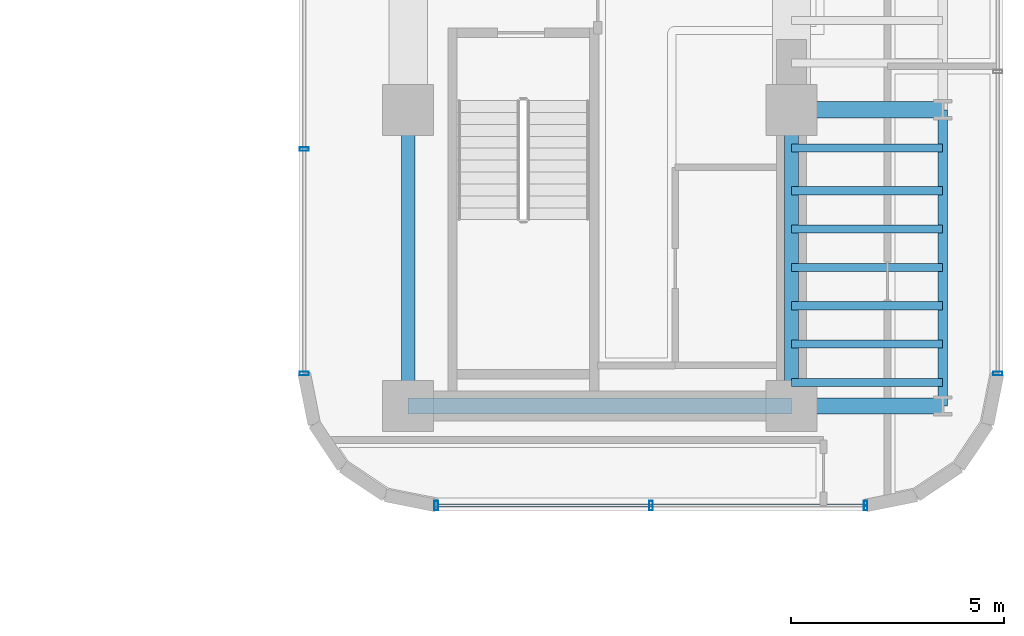
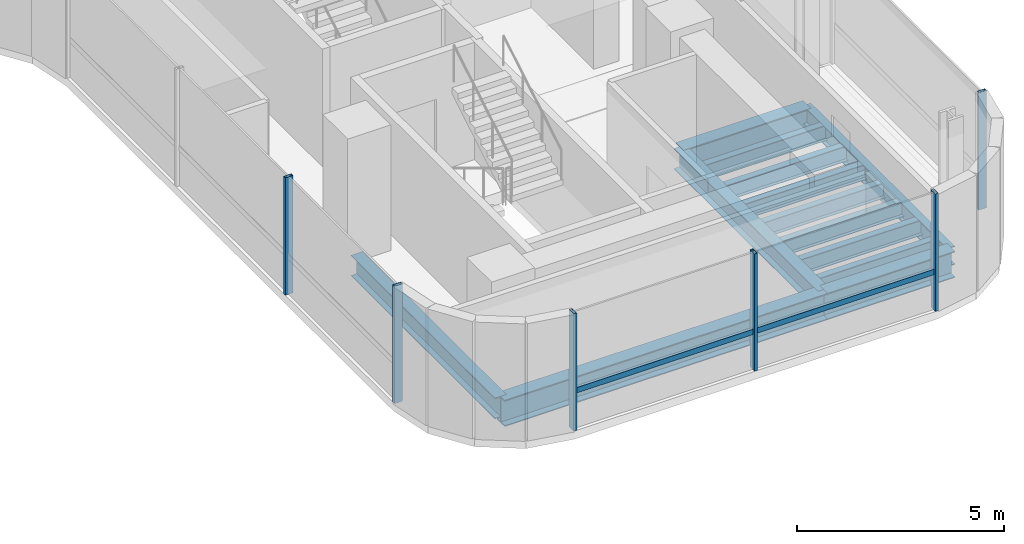
# One storey, part 11 of 34: 13 beams, 7 members, 3 elements without a shape of their own.
"""IFC4 building model written with IfcOpenShell, lengths in metres."""

from ifc_helpers import new_model, si_unit, direction, frame, origin, origin_2d, place, context, subcontext, project, spatial, hollow_rectangle, i_section, extrude, source, transform, mapped, material, material_profile, profile_set, type_object, element, aggregate, save


model = new_model("IFC4")

# Units and contexts
model_context = context("Model", 3, precision=1e-05, world=origin(), true_north=direction((0.0, 1.0)))
body_context = subcontext(model_context, "Body", "Model", "MODEL_VIEW")
ifc_project = project(units=[si_unit("LENGTHUNIT", "METRE"), si_unit("AREAUNIT", "SQUARE_METRE"), si_unit("VOLUMEUNIT", "CUBIC_METRE"), si_unit("PLANEANGLEUNIT", "RADIAN"), si_unit("MASSUNIT", "GRAM", prefix="KILO")], contexts=[model_context])

# Site, building, storey
site_placement = place(None, origin())
site = spatial("IfcSite", under=ifc_project, at=site_placement, CompositionType="ELEMENT")
building_placement = place(site_placement, origin())
building = spatial("IfcBuilding", under=site, at=building_placement, Name="Valdorenza Pilgrim Sanctuary Tower", CompositionType="ELEMENT")
storey_placement = place(building_placement, frame((0.0, 0.0, 142.699951171875)))
storey = spatial("IfcBuildingStorey", under=building, at=storey_placement, Name="L36", CompositionType="ELEMENT", Elevation=142.699951171875)

# Beams
ifc_material_1 = material(Name="Steel ASTM A992 Grade 50", Category="steel")
ifc_material_profile_1 = material_profile(ifc_material_1, i_section(OverallWidth=0.323974609375, OverallDepth=0.611083984375, WebThickness=0.0126953125, FlangeThickness=0.01904296875, at=origin_2d()), Name="W24X104")
ifc_profile_set_1 = profile_set([ifc_material_profile_1], Name="Steel ASTM A992 Grade 50")
beam_type_1 = type_object("IfcBeamType", Name="STR-BM-GRD-W24B", PredefinedType="BEAM", material=ifc_profile_set_1)
shared_shape_1 = source(origin(), body_context, "Body", "SweptSolid", [
    extrude(i_section(OverallWidth=0.323974609375, OverallDepth=0.611083984375, WebThickness=0.0126953125, FlangeThickness=0.01904296875, at=origin_2d()), origin(), (0.0, 0.0, 1.0), 6.949951171875),
])
for number, where, z_axis, x_axis, name in (
    (1, (15.85009765625, -9.550048828125, -0.54541015625), (0.0, 1.0, 0.0), (-1.0, 0.0, 0.0), "L36 Core Tie Girder CB-W-S1M0"),
    (2, (24.85009765625, -9.550048828125, -0.54541015625), (0.0, 1.0, 0.0), (-1.0, 0.0, 0.0), "L36 Core Tie Girder CB-E-S1M0"),
):
    element("IfcBeam", number, at=place(storey_placement, frame(where, z_axis=z_axis, x_axis=x_axis)), inside=storey, type_object=beam_type_1, Name=name, PredefinedType="BEAM", context=body_context, shape_type="MappedRepresentation", body=[
        mapped(shared_shape_1, transform((0.0, 0.0, 0.0), x_axis=(1.0, 0.0, 0.0), y_axis=(0.0, 1.0, 0.0), z_axis=(0.0, 0.0, 1.0), scale=1.0)),
    ])
ifc_material_profile_2 = material_profile(ifc_material_1, i_section(OverallWidth=0.214111328125, OverallDepth=0.549072265625, WebThickness=0.0146484375, FlangeThickness=0.023681640625, at=origin_2d()), Name="W21X93")
ifc_profile_set_2 = profile_set([ifc_material_profile_2], Name="Steel ASTM A992 Grade 50")
beam_type_2 = type_object("IfcBeamType", Name="STR-BM-SPN-W21A", PredefinedType="SPANDREL", material=ifc_profile_set_2)
shared_shape_2 = source(origin(), body_context, "Body", "SweptSolid", [
    extrude(i_section(OverallWidth=0.214111328125, OverallDepth=0.549072265625, WebThickness=0.0146484375, FlangeThickness=0.023681640625, at=origin_2d()), origin(), (0.0, 0.0, 1.0), 6.949951171875),
])
beam_1_placement = place(storey_placement, frame((28.39990234375, -9.550048828125, -0.514404296875), z_axis=(0.0, 1.0, 0.0), x_axis=(-1.0, 0.0, 0.0)))
element("IfcBeam", 3, at=beam_1_placement, inside=storey, type_object=beam_type_2, Name="L36 Spandrel Beam WB-E-S1M0", PredefinedType="SPANDREL", context=body_context, shape_type="MappedRepresentation", body=[
    mapped(shared_shape_2, transform((0.0, 0.0, 0.0), x_axis=(1.0, 0.0, 0.0), y_axis=(0.0, 1.0, 0.0), z_axis=(0.0, 0.0, 1.0), scale=1.0)),
])
ifc_material_profile_3 = material_profile(ifc_material_1, i_section(OverallWidth=0.382080078125, OverallDepth=0.779052734375, WebThickness=0.01806640625, FlangeThickness=0.030029296875, at=origin_2d()), Name="W30X191")
ifc_profile_set_3 = profile_set([ifc_material_profile_3], Name="Steel ASTM A992 Grade 50")
beam_type_3 = type_object("IfcBeamType", Name="STR-BM-GRD-W30", PredefinedType="BEAM", material=ifc_profile_set_3)
shared_shape_3 = source(origin(), body_context, "Body", "SweptSolid", [
    extrude(i_section(OverallWidth=0.382080078125, OverallDepth=0.779052734375, WebThickness=0.01806640625, FlangeThickness=0.030029296875, at=origin_2d()), origin(), (0.0, 0.0, 1.0), 9.0),
])
beam_2_placement = place(storey_placement, frame((15.85009765625, -9.550048828125, -0.62939453125), z_axis=(1.0, 0.0, 0.0), x_axis=(0.0, 1.0, 0.0)))
element("IfcBeam", 4, at=beam_2_placement, inside=storey, type_object=beam_type_3, Name="L36 Floor Girder CB-XC-S1", PredefinedType="BEAM", context=body_context, shape_type="MappedRepresentation", body=[
    mapped(shared_shape_3, transform((0.0, 0.0, 0.0), x_axis=(1.0, 0.0, 0.0), y_axis=(0.0, 1.0, 0.0), z_axis=(0.0, 0.0, 1.0), scale=1.0)),
])
shared_shape_4 = source(origin(), body_context, "Body", "SweptSolid", [
    extrude(i_section(OverallWidth=0.382080078125, OverallDepth=0.779052734375, WebThickness=0.01806640625, FlangeThickness=0.030029296875, at=origin_2d()), origin(), (0.0, 0.0, 1.0), 3.5498046875),
])
for number, where, z_axis, x_axis, name in (
    (5, (24.85009765625, -9.550048828125, -0.62939453125), (1.0, 0.0, 0.0), (0.0, 1.0, 0.0), "L36 Floor Girder WB-XE-S1"),
    (6, (24.85009765625, -2.60009765625, -0.62939453125), (1.0, 0.0, 0.0), (0.0, 1.0, 0.0), "L36 Floor Girder WB-XE-M0"),
):
    element("IfcBeam", number, at=place(storey_placement, frame(where, z_axis=z_axis, x_axis=x_axis)), inside=storey, type_object=beam_type_3, Name=name, PredefinedType="BEAM", context=body_context, shape_type="MappedRepresentation", body=[
        mapped(shared_shape_4, transform((0.0, 0.0, 0.0), x_axis=(1.0, 0.0, 0.0), y_axis=(0.0, 1.0, 0.0), z_axis=(0.0, 0.0, 1.0), scale=1.0)),
    ])
ifc_material_profile_4 = material_profile(ifc_material_1, i_section(OverallWidth=0.19091796875, OverallDepth=0.45703125, WebThickness=0.009033203125, FlangeThickness=0.014404296875, at=origin_2d()), Name="W18X50")
ifc_profile_set_4 = profile_set([ifc_material_profile_4], Name="Steel ASTM A992 Grade 50")
beam_type_4 = type_object("IfcBeamType", Name="STR-BM-JST-W18B", PredefinedType="JOIST", material=ifc_profile_set_4)
shared_shape_5 = source(origin(), body_context, "Body", "SweptSolid", [
    extrude(i_section(OverallWidth=0.19091796875, OverallDepth=0.45703125, WebThickness=0.009033203125, FlangeThickness=0.014404296875, at=origin_2d()), origin(), (0.0, 0.0, 1.0), 3.5498046875),
])
for number, where, z_axis, x_axis, name in (
    (7, (24.85009765625, -9.0, -0.468505859375), (1.0, 0.0, 0.0), (0.0, 1.0, 0.0), "L36 Composite Floor Joist JST-WB-1"),
    (8, (24.85009765625, -8.10009765625, -0.468505859375), (1.0, 0.0, 0.0), (0.0, 1.0, 0.0), "L36 Composite Floor Joist JST-WB-2"),
    (9, (24.85009765625, -7.199951171875, -0.468505859375), (1.0, 0.0, 0.0), (0.0, 1.0, 0.0), "L36 Composite Floor Joist JST-WB-3"),
    (10, (24.85009765625, -6.300048828125, -0.468505859375), (1.0, 0.0, 0.0), (0.0, 1.0, 0.0), "L36 Composite Floor Joist JST-WB-4"),
    (11, (24.85009765625, -5.39990234375, -0.468505859375), (1.0, 0.0, 0.0), (0.0, 1.0, 0.0), "L36 Composite Floor Joist JST-WB-5"),
    (12, (24.85009765625, -4.5, -0.468505859375), (1.0, 0.0, 0.0), (0.0, 1.0, 0.0), "L36 Composite Floor Joist JST-WB-6"),
    (13, (24.85009765625, -3.5, -0.468505859375), (1.0, 0.0, 0.0), (0.0, 1.0, 0.0), "L36 Composite Floor Joist JST-WB-7"),
):
    element("IfcBeam", number, at=place(storey_placement, frame(where, z_axis=z_axis, x_axis=x_axis)), inside=storey, type_object=beam_type_4, Name=name, PredefinedType="JOIST", context=body_context, shape_type="MappedRepresentation", body=[
        mapped(shared_shape_5, transform((0.0, 0.0, 0.0), x_axis=(1.0, 0.0, 0.0), y_axis=(0.0, 1.0, 0.0), z_axis=(0.0, 0.0, 1.0), scale=1.0)),
    ])

# Curtain wall, member
ifc_material_2 = material(Name="Curtain-wall IGU glazing", Category="glass")
curtain_wall_type = type_object("IfcCurtainWallType", Name="CW-SYS-03", PredefinedType="NOTDEFINED", material=ifc_material_2)
curtain_wall_1_placement = place(storey_placement, origin())
curtain_wall_1 = element("IfcCurtainWall", 14, at=curtain_wall_1_placement, inside=storey, type_object=curtain_wall_type, Name="L36 Curtain Wall CW-L36-1-21", PredefinedType="NOTDEFINED")
ifc_material_3 = material(Name="Anodised aluminium AW-6060", Category="aluminium")
ifc_material_profile_5 = material_profile(ifc_material_3, hollow_rectangle(XDim=0.0849609375, YDim=0.219970703125, WallThickness=0.0048828125, at=origin_2d()), Name="ALU-M 220x85x5")
ifc_profile_set_5 = profile_set([ifc_material_profile_5], Name="Anodised aluminium AW-6060")
member_type_1 = type_object("IfcMemberType", Name="CW-MUL-03", PredefinedType="MULLION", material=ifc_profile_set_5)
shared_shape_6 = source(origin(), body_context, "Body", "SweptSolid", [
    extrude(hollow_rectangle(XDim=0.0849609375, YDim=0.219970703125, WallThickness=0.0048828125, at=origin_2d()), origin(), (0.0, 0.0, 1.0), 3.4599609375),
])
member_1_placement = place(storey_placement, frame((29.68994140625, -8.789306640625, 0.0), z_axis=(0.0, 0.0, 1.0), x_axis=(0.0, -1.0, 0.0)))
member_1 = element("IfcMember", 15, at=member_1_placement, type_object=member_type_1, Name="CW-L36-1-21 Mullion 4", PredefinedType="MULLION", context=body_context, shape_type="MappedRepresentation", body=[
    mapped(shared_shape_6, transform((0.0, 0.0, 0.0), x_axis=(1.0, 0.0, 0.0), y_axis=(0.0, 1.0, 0.0), z_axis=(0.0, 0.0, 1.0), scale=1.0)),
])
aggregate(curtain_wall_1, [member_1])

# Curtain wall, members
curtain_wall_2_placement = place(storey_placement, origin())
curtain_wall_2 = element("IfcCurtainWall", 16, at=curtain_wall_2_placement, inside=storey, type_object=curtain_wall_type, Name="L36 Curtain Wall CW-L36-1-26", PredefinedType="NOTDEFINED")
member_2_placement = place(storey_placement, frame((26.589111328125, -11.889892578125, 0.0), z_axis=(0.0, 0.0, 1.0), x_axis=(-1.0, 0.0, 0.0)))
member_2 = element("IfcMember", 17, at=member_2_placement, type_object=member_type_1, Name="CW-L36-1-26 Mullion 1", PredefinedType="MULLION", context=body_context, shape_type="MappedRepresentation", body=[
    mapped(shared_shape_6, transform((0.0, 0.0, 0.0), x_axis=(1.0, 0.0, 0.0), y_axis=(0.0, 1.0, 0.0), z_axis=(0.0, 0.0, 1.0), scale=1.0)),
])
member_3_placement = place(storey_placement, frame((21.550048828125, -11.889892578125, 0.0), z_axis=(0.0, 0.0, 1.0), x_axis=(-1.0, 0.0, 0.0)))
member_3 = element("IfcMember", 18, at=member_3_placement, type_object=member_type_1, Name="CW-L36-1-26 Mullion 2", PredefinedType="MULLION", context=body_context, shape_type="MappedRepresentation", body=[
    mapped(shared_shape_6, transform((0.0, 0.0, 0.0), x_axis=(1.0, 0.0, 0.0), y_axis=(0.0, 1.0, 0.0), z_axis=(0.0, 0.0, 1.0), scale=1.0)),
])
member_4_placement = place(storey_placement, frame((16.5107421875, -11.889892578125, 0.0), z_axis=(0.0, 0.0, 1.0), x_axis=(-1.0, 0.0, 0.0)))
member_4 = element("IfcMember", 19, at=member_4_placement, type_object=member_type_1, Name="CW-L36-1-26 Mullion 3", PredefinedType="MULLION", context=body_context, shape_type="MappedRepresentation", body=[
    mapped(shared_shape_6, transform((0.0, 0.0, 0.0), x_axis=(1.0, 0.0, 0.0), y_axis=(0.0, 1.0, 0.0), z_axis=(0.0, 0.0, 1.0), scale=1.0)),
])

curtain_wall_3_placement = place(storey_placement, origin())
curtain_wall_3 = element("IfcCurtainWall", 20, at=curtain_wall_3_placement, inside=storey, type_object=curtain_wall_type, Name="L36 Curtain Wall CW-L36-1-31", PredefinedType="NOTDEFINED")
member_5_placement = place(storey_placement, frame((13.409912109375, -8.789306640625, 0.0), z_axis=(0.0, 0.0, 1.0), x_axis=(0.0, 1.0, 0.0)))
member_5 = element("IfcMember", 21, at=member_5_placement, type_object=member_type_1, Name="CW-L36-1-31 Mullion 1", PredefinedType="MULLION", context=body_context, shape_type="MappedRepresentation", body=[
    mapped(shared_shape_6, transform((0.0, 0.0, 0.0), x_axis=(1.0, 0.0, 0.0), y_axis=(0.0, 1.0, 0.0), z_axis=(0.0, 0.0, 1.0), scale=1.0)),
])
member_6_placement = place(storey_placement, frame((13.409912109375, -3.5224609375, 0.0), z_axis=(0.0, 0.0, 1.0), x_axis=(0.0, 1.0, 0.0)))
member_6 = element("IfcMember", 22, at=member_6_placement, type_object=member_type_1, Name="CW-L36-1-31 Mullion 2", PredefinedType="MULLION", context=body_context, shape_type="MappedRepresentation", body=[
    mapped(shared_shape_6, transform((0.0, 0.0, 0.0), x_axis=(1.0, 0.0, 0.0), y_axis=(0.0, 1.0, 0.0), z_axis=(0.0, 0.0, 1.0), scale=1.0)),
])
aggregate(curtain_wall_3, [member_5, member_6])

# Member
ifc_material_profile_6 = material_profile(ifc_material_3, hollow_rectangle(XDim=0.074951171875, YDim=0.159912109375, WallThickness=0.00390625, at=origin_2d()), Name="ALU-T 160x75x4")
ifc_profile_set_6 = profile_set([ifc_material_profile_6], Name="Anodised aluminium AW-6060")
member_type_2 = type_object("IfcMemberType", Name="CW-TRN-03", PredefinedType="USERDEFINED", material=ifc_profile_set_6)
shared_shape_7 = source(origin(), body_context, "Body", "SweptSolid", [
    extrude(hollow_rectangle(XDim=0.074951171875, YDim=0.159912109375, WallThickness=0.00390625, at=origin_2d()), origin(), (0.0, 0.0, 1.0), 10.078369140625),
])
member_7_placement = place(storey_placement, frame((26.589111328125, -11.889892578125, 1.1201171875), z_axis=(-1.0, 0.0, 0.0), x_axis=(0.0, -1.0, 0.0)))
member_7 = element("IfcMember", 23, at=member_7_placement, type_object=member_type_2, Name="CW-L36-1-26 Transom 1", ObjectType="TRANSOM", PredefinedType="USERDEFINED", context=body_context, shape_type="MappedRepresentation", body=[
    mapped(shared_shape_7, transform((0.0, 0.0, 0.0), x_axis=(1.0, 0.0, 0.0), y_axis=(0.0, 1.0, 0.0), z_axis=(0.0, 0.0, 1.0), scale=1.0)),
])

aggregate(curtain_wall_2, [member_2, member_3, member_4, member_7])

save(model, "model.ifc")
